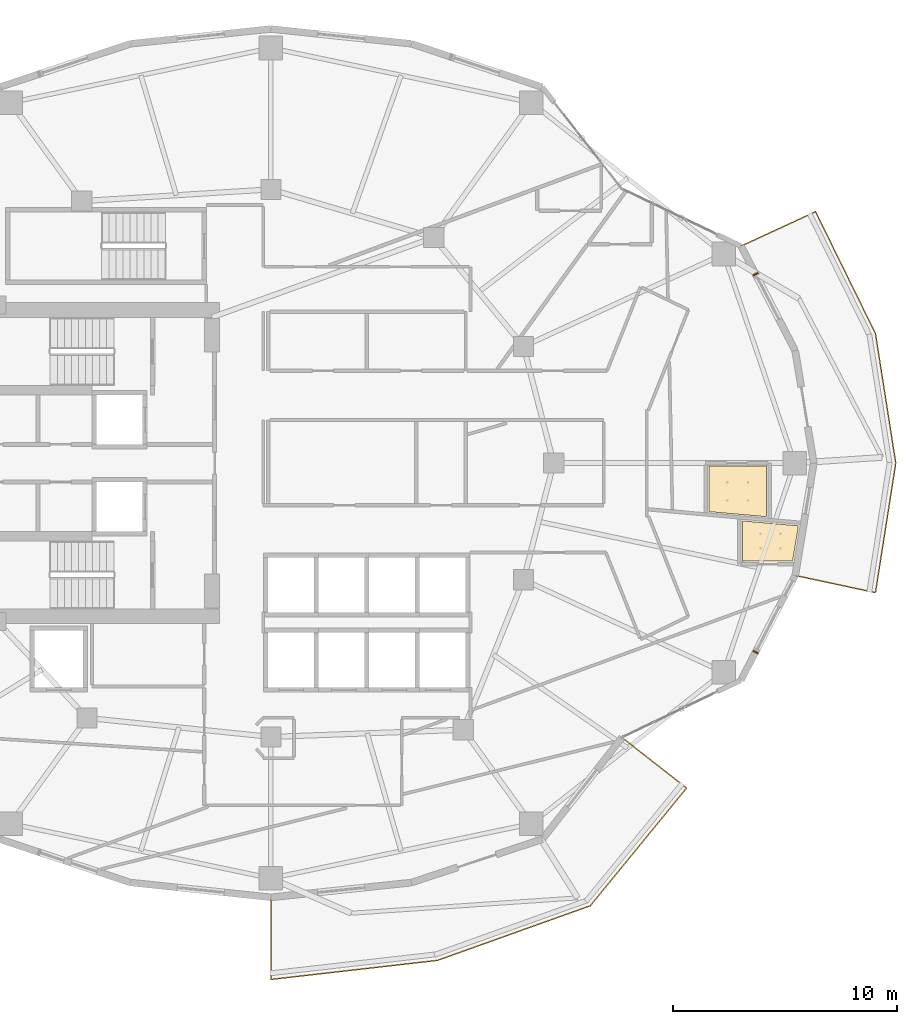
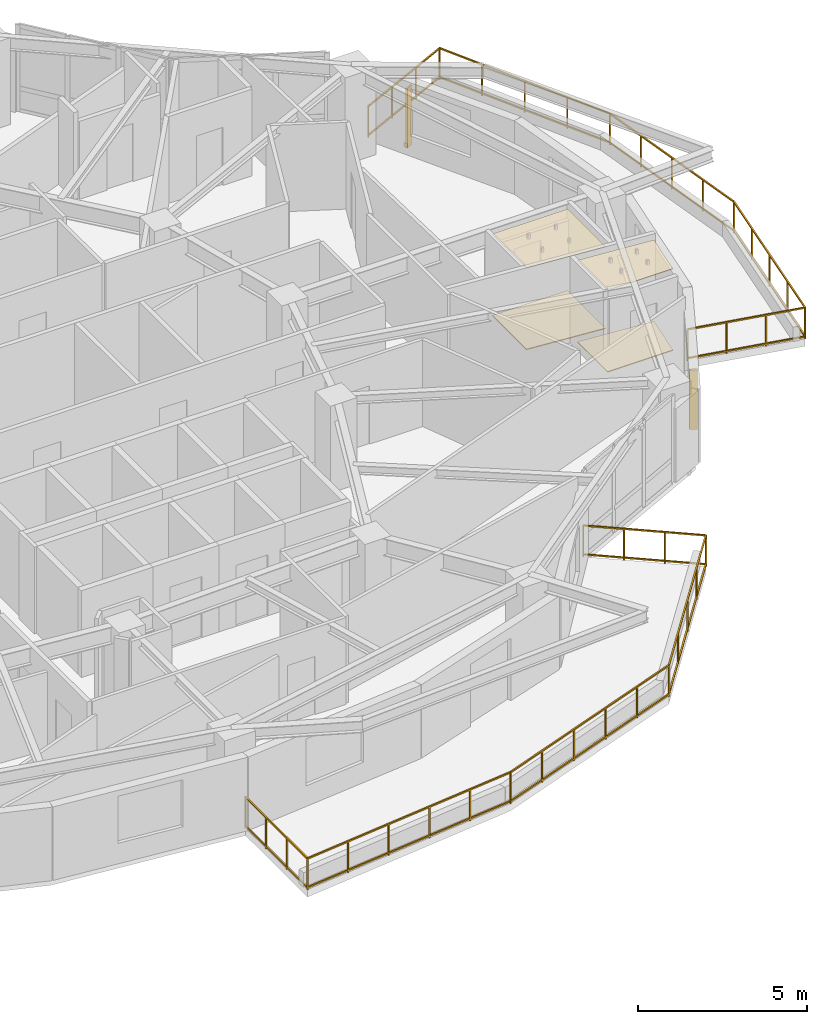
# One storey, part 14 of 15: 4 coverings, 2 railings, 2 shading devices.
"""IFC4 building model written with IfcOpenShell, lengths in metres."""

from ifc_helpers import new_model, si_unit, direction, frame, origin, origin_2d, place, context, subcontext, project, spatial, polyline, rectangle, outline, extrude, material, layer, layer_set, type_object, element, save


model = new_model("IFC4")

# Units and contexts
model_context = context("Model", 3, precision=1e-05, world=origin(), true_north=direction((0.0, 1.0)))
body_context = subcontext(model_context, "Body", "Model", "MODEL_VIEW")
ifc_project = project(units=[si_unit("LENGTHUNIT", "METRE"), si_unit("AREAUNIT", "SQUARE_METRE"), si_unit("VOLUMEUNIT", "CUBIC_METRE"), si_unit("PLANEANGLEUNIT", "RADIAN"), si_unit("MASSUNIT", "GRAM", prefix="KILO")], contexts=[model_context])

# Site, building, storey
site_placement = place(None, origin())
site = spatial("IfcSite", under=ifc_project, at=site_placement, CompositionType="ELEMENT")
building_placement = place(site_placement, origin())
building = spatial("IfcBuilding", under=site, at=building_placement, Name="Kolvaren Gate Tower and Convention Centre", CompositionType="ELEMENT")
storey_placement = place(building_placement, frame((0.0, 0.0, 129.10009765625)))
storey = spatial("IfcBuildingStorey", under=building, at=storey_placement, Name="L32", CompositionType="ELEMENT", Elevation=129.10009765625)

# Coverings
ifc_material_1 = material(Name="Perforated Mineral-Fibre Acoustic Ceiling Tile 18 mm", Category="gypsum")
ifc_layer_1 = layer(ifc_material_1, 0.01806640625)
ifc_layer_set_1 = layer_set([ifc_layer_1], Name="Perforated Mineral-Fibre Acoustic Ceiling Tile 18 mm")
covering_type_1 = type_object("IfcCoveringType", Name="ARCH-COV-CEIL-18", PredefinedType="CEILING", material=ifc_layer_set_1)
covering_1_placement = place(storey_placement, frame((0.0, 0.0, 2.949951171875)))
element("IfcCovering", 1, at=covering_1_placement, inside=storey, type_object=covering_type_1, Name="En-suite Bathroom (HTL-L32-05) Acoustic Suspended Ceiling", PredefinedType="CEILING", context=body_context, shape_type="SweptSolid", body=[
    extrude(outline(polyline([(51.139892578125, 22.639892578125), (51.139892578125, 24.426025390625), (53.62890625, 24.2060546875), (53.3720703125, 22.639892578125), (51.139892578125, 22.639892578125)])), origin(), (0.0, 0.0, 1.0), 0.01806640625),
])
covering_2_placement = place(storey_placement, frame((0.0, 0.0, 2.949951171875)))
element("IfcCovering", 2, at=covering_2_placement, inside=storey, type_object=covering_type_1, Name="En-suite Bathroom (HTL-L32-07) Acoustic Suspended Ceiling", PredefinedType="CEILING", context=body_context, shape_type="SweptSolid", body=[
    extrude(outline(polyline([(49.639892578125, 26.862060546875), (52.2099609375, 26.862060546875), (52.2099609375, 24.612060546875), (49.639892578125, 24.839111328125), (49.639892578125, 26.862060546875)])), origin(), (0.0, 0.0, 1.0), 0.01806640625),
])
ifc_material_2 = material(Name="Honed Sabana Limestone Terrazzo Flooring 30 mm", Category="masonry")
ifc_layer_2 = layer(ifc_material_2, 0.030029296875)
ifc_layer_set_2 = layer_set([ifc_layer_2], Name="Honed Sabana Limestone Terrazzo Flooring 30 mm")
covering_type_2 = type_object("IfcCoveringType", Name="ARCH-COV-FLR-30", PredefinedType="FLOORING", material=ifc_layer_set_2)
covering_3_placement = place(storey_placement, origin())
element("IfcCovering", 3, at=covering_3_placement, inside=storey, type_object=covering_type_2, Name="En-suite Bathroom (HTL-L32-05) Interior Finish Flooring", PredefinedType="FLOORING", context=body_context, shape_type="SweptSolid", body=[
    extrude(outline(polyline([(51.139892578125, 22.639892578125), (51.139892578125, 24.426025390625), (53.62890625, 24.2060546875), (53.3720703125, 22.639892578125), (51.139892578125, 22.639892578125)])), origin(), (0.0, 0.0, 1.0), 0.02978515625),
])
covering_4_placement = place(storey_placement, origin())
element("IfcCovering", 4, at=covering_4_placement, inside=storey, type_object=covering_type_2, Name="En-suite Bathroom (HTL-L32-07) Interior Finish Flooring", PredefinedType="FLOORING", context=body_context, shape_type="SweptSolid", body=[
    extrude(outline(polyline([(49.639892578125, 26.862060546875), (52.2099609375, 26.862060546875), (52.2099609375, 24.612060546875), (49.639892578125, 24.839111328125), (49.639892578125, 26.862060546875)])), origin(), (0.0, 0.0, 1.0), 0.02978515625),
])

# Railings
ifc_material_3 = material(Name="Brushed Stainless Steel Grade 316L", Category="steel")
railing_type = type_object("IfcRailingType", Name="ARCH-RL-GUARD-1150", PredefinedType="GUARDRAIL", material=ifc_material_3)
railing_1_placement = place(storey_placement, frame((30.125, 7.64990234375, 0.0)))
element("IfcRailing", 5, at=railing_1_placement, inside=storey, type_object=railing_type, Name="Tower L32 Terrace Perimeter Guardrail GR-3", PredefinedType="GUARDRAIL", context=body_context, shape_type="SweptSolid", body=[
    extrude(rectangle(XDim=0.048095703125, YDim=0.048095703125, at=origin_2d()), frame((0.0, -0.028076171875, 1.1259765625), z_axis=(0.0, -1.0, 0.0), x_axis=(1.0, 0.0, 0.0)), (0.0, 0.0, 1.0), 3.603759765625),
    extrude(rectangle(XDim=0.048095703125, YDim=0.048095703125, at=origin_2d()), frame((0.0, -0.028076171875, 0.083984375), z_axis=(0.0, -1.0, 0.0), x_axis=(1.0, 0.0, 0.0)), (0.0, 0.0, 1.0), 3.603759765625),
    extrude(rectangle(XDim=0.048095703125, YDim=0.048095703125, at=origin_2d()), frame((0.02783203125, -3.65673828125, 1.1259765625), z_axis=(0.993523927361, 0.113623086387, 0.0), x_axis=(-0.113623086387, 0.993523927361, 0.0)), (0.0, 0.0, 1.0), 7.414794921875),
    extrude(rectangle(XDim=0.048095703125, YDim=0.048095703125, at=origin_2d()), frame((0.02783203125, -3.65673828125, 0.083984375), z_axis=(0.993523927361, 0.113623086387, 0.0), x_axis=(-0.113623086387, 0.993523927361, 0.0)), (0.0, 0.0, 1.0), 7.414794921875),
    extrude(rectangle(XDim=0.048095703125, YDim=0.048095703125, at=origin_2d()), frame((7.448974609375, -2.801513671875, 1.1259765625), z_axis=(0.941628873241, 0.336652736627, 0.0), x_axis=(-0.336652736627, 0.941628873241, 0.0)), (0.0, 0.0, 1.0), 7.17919921875),
    extrude(rectangle(XDim=0.048095703125, YDim=0.048095703125, at=origin_2d()), frame((7.448974609375, -2.801513671875, 0.083984375), z_axis=(0.941628873241, 0.336652736627, 0.0), x_axis=(-0.336652736627, 0.941628873241, 0.0)), (0.0, 0.0, 1.0), 7.17919921875),
    extrude(rectangle(XDim=0.048095703125, YDim=0.048095703125, at=origin_2d()), frame((14.25341796875, -0.353515625, 1.1259765625), z_axis=(0.633002467947, 0.77414977593, 0.0), x_axis=(-0.77414977593, 0.633002467947, 0.0)), (0.0, 0.0, 1.0), 6.724365234375),
    extrude(rectangle(XDim=0.048095703125, YDim=0.048095703125, at=origin_2d()), frame((14.25341796875, -0.353515625, 0.083984375), z_axis=(0.633002467947, 0.77414977593, 0.0), x_axis=(-0.77414977593, 0.633002467947, 0.0)), (0.0, 0.0, 1.0), 6.724365234375),
    extrude(rectangle(XDim=0.048095703125, YDim=0.048095703125, at=origin_2d()), frame((18.50537109375, 4.89111328125, 1.1259765625), z_axis=(-0.787963688807, 0.615721710776, 0.0), x_axis=(-0.615721710776, -0.787963688807, 0.0)), (0.0, 0.0, 1.0), 3.603759765625),
    extrude(rectangle(XDim=0.048095703125, YDim=0.048095703125, at=origin_2d()), frame((18.50537109375, 4.89111328125, 0.083984375), z_axis=(-0.787963688807, 0.615721710776, 0.0), x_axis=(-0.615721710776, -0.787963688807, 0.0)), (0.0, 0.0, 1.0), 3.603759765625),
    extrude(rectangle(XDim=0.0419921875, YDim=0.0419921875, at=origin_2d()), origin(), (0.0, 0.0, 1.0), 1.14990234375),
    extrude(rectangle(XDim=0.0419921875, YDim=0.0419921875, at=origin_2d()), frame((0.0, -3.659912109375, 0.0)), (0.0, 0.0, 1.0), 1.14990234375),
    extrude(rectangle(XDim=0.0419921875, YDim=0.0419921875, at=origin_2d()), frame((0.0, -1.219970703125, 0.0)), (0.0, 0.0, 1.0), 1.099853515625),
    extrude(rectangle(XDim=0.0419921875, YDim=0.0419921875, at=origin_2d()), frame((0.0, -2.43994140625, 0.0)), (0.0, 0.0, 1.0), 1.099853515625),
    extrude(rectangle(XDim=0.0419921875, YDim=0.0419921875, at=origin_2d()), frame((7.422607421875, -2.81103515625, 0.0)), (0.0, 0.0, 1.0), 1.14990234375),
    extrude(rectangle(XDim=0.0419921875, YDim=0.0419921875, at=origin_2d()), frame((1.484619140625, -3.490234375, 0.0)), (0.0, 0.0, 1.0), 1.099853515625),
    extrude(rectangle(XDim=0.0419921875, YDim=0.0419921875, at=origin_2d()), frame((2.968994140625, -3.3203125, 0.0)), (0.0, 0.0, 1.0), 1.099853515625),
    extrude(rectangle(XDim=0.0419921875, YDim=0.0419921875, at=origin_2d()), frame((4.45361328125, -3.150634765625, 0.0)), (0.0, 0.0, 1.0), 1.099853515625),
    extrude(rectangle(XDim=0.0419921875, YDim=0.0419921875, at=origin_2d()), frame((5.93798828125, -2.980712890625, 0.0)), (0.0, 0.0, 1.0), 1.099853515625),
    extrude(rectangle(XDim=0.0419921875, YDim=0.0419921875, at=origin_2d()), frame((14.235595703125, -0.375244140625, 0.0)), (0.0, 0.0, 1.0), 1.14990234375),
    extrude(rectangle(XDim=0.0419921875, YDim=0.0419921875, at=origin_2d()), frame((8.78515625, -2.323974609375, 0.0)), (0.0, 0.0, 1.0), 1.099853515625),
    extrude(rectangle(XDim=0.0419921875, YDim=0.0419921875, at=origin_2d()), frame((10.147705078125, -1.836669921875, 0.0)), (0.0, 0.0, 1.0), 1.099853515625),
    extrude(rectangle(XDim=0.0419921875, YDim=0.0419921875, at=origin_2d()), frame((11.510498046875, -1.349609375, 0.0)), (0.0, 0.0, 1.0), 1.099853515625),
    extrude(rectangle(XDim=0.0419921875, YDim=0.0419921875, at=origin_2d()), frame((12.873046875, -0.8623046875, 0.0)), (0.0, 0.0, 1.0), 1.099853515625),
    extrude(rectangle(XDim=0.0419921875, YDim=0.0419921875, at=origin_2d()), frame((18.527587890625, 4.873779296875, 0.0)), (0.0, 0.0, 1.0), 1.14990234375),
    extrude(rectangle(XDim=0.0419921875, YDim=0.0419921875, at=origin_2d()), frame((15.30859375, 0.93701171875, 0.0)), (0.0, 0.0, 1.0), 1.099853515625),
    extrude(rectangle(XDim=0.0419921875, YDim=0.0419921875, at=origin_2d()), frame((16.381591796875, 2.249267578125, 0.0)), (0.0, 0.0, 1.0), 1.099853515625),
    extrude(rectangle(XDim=0.0419921875, YDim=0.0419921875, at=origin_2d()), frame((17.45458984375, 3.5615234375, 0.0)), (0.0, 0.0, 1.0), 1.099853515625),
    extrude(rectangle(XDim=0.0419921875, YDim=0.0419921875, at=origin_2d()), frame((15.643798828125, 7.127197265625, 0.0)), (0.0, 0.0, 1.0), 1.14990234375),
    extrude(rectangle(XDim=0.0419921875, YDim=0.0419921875, at=origin_2d()), frame((17.56640625, 5.625, 0.0)), (0.0, 0.0, 1.0), 1.099853515625),
    extrude(rectangle(XDim=0.0419921875, YDim=0.0419921875, at=origin_2d()), frame((16.60498046875, 6.3759765625, 0.0)), (0.0, 0.0, 1.0), 1.099853515625),
])
railing_2_placement = place(storey_placement, frame((53.48828125, 21.991943359375, 0.0)))
element("IfcRailing", 6, at=railing_2_placement, inside=storey, type_object=railing_type, Name="Tower L32 Terrace Perimeter Guardrail GR-4", PredefinedType="GUARDRAIL", context=body_context, shape_type="SweptSolid", body=[
    extrude(rectangle(XDim=0.048095703125, YDim=0.048095703125, at=origin_2d()), frame((0.02734375, -0.005859375, 1.1259765625), z_axis=(0.977788745232, -0.209592866525, 0.0), x_axis=(0.209592866525, 0.977788745232, 0.0)), (0.0, 0.0, 1.0), 3.603759765625),
    extrude(rectangle(XDim=0.048095703125, YDim=0.048095703125, at=origin_2d()), frame((0.02734375, -0.005859375, 0.083984375), z_axis=(0.977788745232, -0.209592866525, 0.0), x_axis=(0.209592866525, 0.977788745232, 0.0)), (0.0, 0.0, 1.0), 3.603759765625),
    extrude(rectangle(XDim=0.048095703125, YDim=0.048095703125, at=origin_2d()), frame((3.5830078125, -0.739501953125, 1.1259765625), z_axis=(0.154903030247, 0.987929679289, 0.0), x_axis=(-0.987929679289, 0.154903030247, 0.0)), (0.0, 0.0, 1.0), 5.78955078125),
    extrude(rectangle(XDim=0.048095703125, YDim=0.048095703125, at=origin_2d()), frame((3.5830078125, -0.739501953125, 0.083984375), z_axis=(0.154903030247, 0.987929679289, 0.0), x_axis=(-0.987929679289, 0.154903030247, 0.0)), (0.0, 0.0, 1.0), 5.78955078125),
    extrude(rectangle(XDim=0.048095703125, YDim=0.048095703125, at=origin_2d()), frame((4.479736328125, 5.03564453125, 1.1259765625), z_axis=(-0.154903030247, 0.987929679289, 0.0), x_axis=(-0.987929679289, -0.154903030247, 0.0)), (0.0, 0.0, 1.0), 5.78955078125),
    extrude(rectangle(XDim=0.048095703125, YDim=0.048095703125, at=origin_2d()), frame((4.479736328125, 5.03564453125, 0.083984375), z_axis=(-0.154903030247, 0.987929679289, 0.0), x_axis=(-0.987929679289, -0.154903030247, 0.0)), (0.0, 0.0, 1.0), 5.78955078125),
    extrude(rectangle(XDim=0.048095703125, YDim=0.048095703125, at=origin_2d()), frame((3.566162109375, 10.808349609375, 1.1259765625), z_axis=(-0.441237167293, 0.897390529368, 0.0), x_axis=(-0.897390529368, -0.441237167293, 0.0)), (0.0, 0.0, 1.0), 5.999755859375),
    extrude(rectangle(XDim=0.048095703125, YDim=0.048095703125, at=origin_2d()), frame((3.566162109375, 10.808349609375, 0.083984375), z_axis=(-0.441237167293, 0.897390529368, 0.0), x_axis=(-0.897390529368, -0.441237167293, 0.0)), (0.0, 0.0, 1.0), 5.999755859375),
    extrude(rectangle(XDim=0.048095703125, YDim=0.048095703125, at=origin_2d()), frame((0.881103515625, 16.2060546875, 1.1259765625), z_axis=(-0.907846116663, -0.419303503993, 0.0), x_axis=(0.419303503993, -0.907846116663, 0.0)), (0.0, 0.0, 1.0), 3.60400390625),
    extrude(rectangle(XDim=0.048095703125, YDim=0.048095703125, at=origin_2d()), frame((0.881103515625, 16.2060546875, 0.083984375), z_axis=(-0.907846116663, -0.419303503993, 0.0), x_axis=(0.419303503993, -0.907846116663, 0.0)), (0.0, 0.0, 1.0), 3.60400390625),
    extrude(rectangle(XDim=0.0419921875, YDim=0.0419921875, at=origin_2d()), origin(), (0.0, 0.0, 1.0), 1.14990234375),
    extrude(rectangle(XDim=0.0419921875, YDim=0.0419921875, at=origin_2d()), frame((3.57861328125, -0.76708984375, 0.0)), (0.0, 0.0, 1.0), 1.14990234375),
    extrude(rectangle(XDim=0.0419921875, YDim=0.0419921875, at=origin_2d()), frame((1.19287109375, -0.255615234375, 0.0)), (0.0, 0.0, 1.0), 1.099853515625),
    extrude(rectangle(XDim=0.0419921875, YDim=0.0419921875, at=origin_2d()), frame((2.3857421875, -0.511474609375, 0.0)), (0.0, 0.0, 1.0), 1.099853515625),
    extrude(rectangle(XDim=0.0419921875, YDim=0.0419921875, at=origin_2d()), frame((4.484130859375, 5.008056640625, 0.0)), (0.0, 0.0, 1.0), 1.14990234375),
    extrude(rectangle(XDim=0.0419921875, YDim=0.0419921875, at=origin_2d()), frame((3.804931640625, 0.6767578125, 0.0)), (0.0, 0.0, 1.0), 1.099853515625),
    extrude(rectangle(XDim=0.0419921875, YDim=0.0419921875, at=origin_2d()), frame((4.03125, 2.12060546875, 0.0)), (0.0, 0.0, 1.0), 1.099853515625),
    extrude(rectangle(XDim=0.0419921875, YDim=0.0419921875, at=origin_2d()), frame((4.2578125, 3.564208984375, 0.0)), (0.0, 0.0, 1.0), 1.099853515625),
    extrude(rectangle(XDim=0.0419921875, YDim=0.0419921875, at=origin_2d()), frame((3.57861328125, 10.783203125, 0.0)), (0.0, 0.0, 1.0), 1.14990234375),
    extrude(rectangle(XDim=0.0419921875, YDim=0.0419921875, at=origin_2d()), frame((4.2578125, 6.451904296875, 0.0)), (0.0, 0.0, 1.0), 1.099853515625),
    extrude(rectangle(XDim=0.0419921875, YDim=0.0419921875, at=origin_2d()), frame((4.03125, 7.8955078125, 0.0)), (0.0, 0.0, 1.0), 1.099853515625),
    extrude(rectangle(XDim=0.0419921875, YDim=0.0419921875, at=origin_2d()), frame((3.804931640625, 9.33935546875, 0.0)), (0.0, 0.0, 1.0), 1.099853515625),
    extrude(rectangle(XDim=0.0419921875, YDim=0.0419921875, at=origin_2d()), frame((0.906494140625, 16.2177734375, 0.0)), (0.0, 0.0, 1.0), 1.14990234375),
    extrude(rectangle(XDim=0.0419921875, YDim=0.0419921875, at=origin_2d()), frame((2.91064453125, 12.141845703125, 0.0)), (0.0, 0.0, 1.0), 1.099853515625),
    extrude(rectangle(XDim=0.0419921875, YDim=0.0419921875, at=origin_2d()), frame((2.24267578125, 13.50048828125, 0.0)), (0.0, 0.0, 1.0), 1.099853515625),
    extrude(rectangle(XDim=0.0419921875, YDim=0.0419921875, at=origin_2d()), frame((1.574462890625, 14.859130859375, 0.0)), (0.0, 0.0, 1.0), 1.099853515625),
    extrude(rectangle(XDim=0.0419921875, YDim=0.0419921875, at=origin_2d()), frame((-2.416259765625, 14.68310546875, 0.0)), (0.0, 0.0, 1.0), 1.14990234375),
    extrude(rectangle(XDim=0.0419921875, YDim=0.0419921875, at=origin_2d()), frame((-0.201171875, 15.706298828125, 0.0)), (0.0, 0.0, 1.0), 1.099853515625),
    extrude(rectangle(XDim=0.0419921875, YDim=0.0419921875, at=origin_2d()), frame((-1.30859375, 15.194580078125, 0.0)), (0.0, 0.0, 1.0), 1.099853515625),
])

# Shading devices
ifc_material_4 = material(Name="Kiln-Fired Bogota Terracotta Ceramic Louvre Profile", Category="masonry")
shading_device_type = type_object("IfcShadingDeviceType", Name="ARCH-SHD-FIN-180", PredefinedType="JALOUSIE", material=ifc_material_4)
for number, where, z_axis, x_axis, name in (
    (7, (51.72412109375, 35.415771484375, 0.219970703125), (0.0, 0.0, 1.0), (0.459781360558, -0.888032150591, 0.0), "Ceramic Vertical Brise-Soleil Fin FN-L32-01"),
    (8, (51.72412109375, 18.584228515625, 0.219970703125), (0.0, 0.0, 1.0), (0.459781360558, 0.888032150591, 0.0), "Ceramic Vertical Brise-Soleil Fin FN-L32-22"),
):
    element("IfcShadingDevice", number, at=place(storey_placement, frame(where, z_axis=z_axis, x_axis=x_axis)), inside=storey, type_object=shading_device_type, Name=name, PredefinedType="JALOUSIE", context=body_context, shape_type="SweptSolid", body=[
        extrude(rectangle(XDim=0.06005859375, YDim=0.239990234375, at=origin_2d()), origin(), (0.0, 0.0, 1.0), 2.14990234375),
    ])

save(model, "model.ifc")
